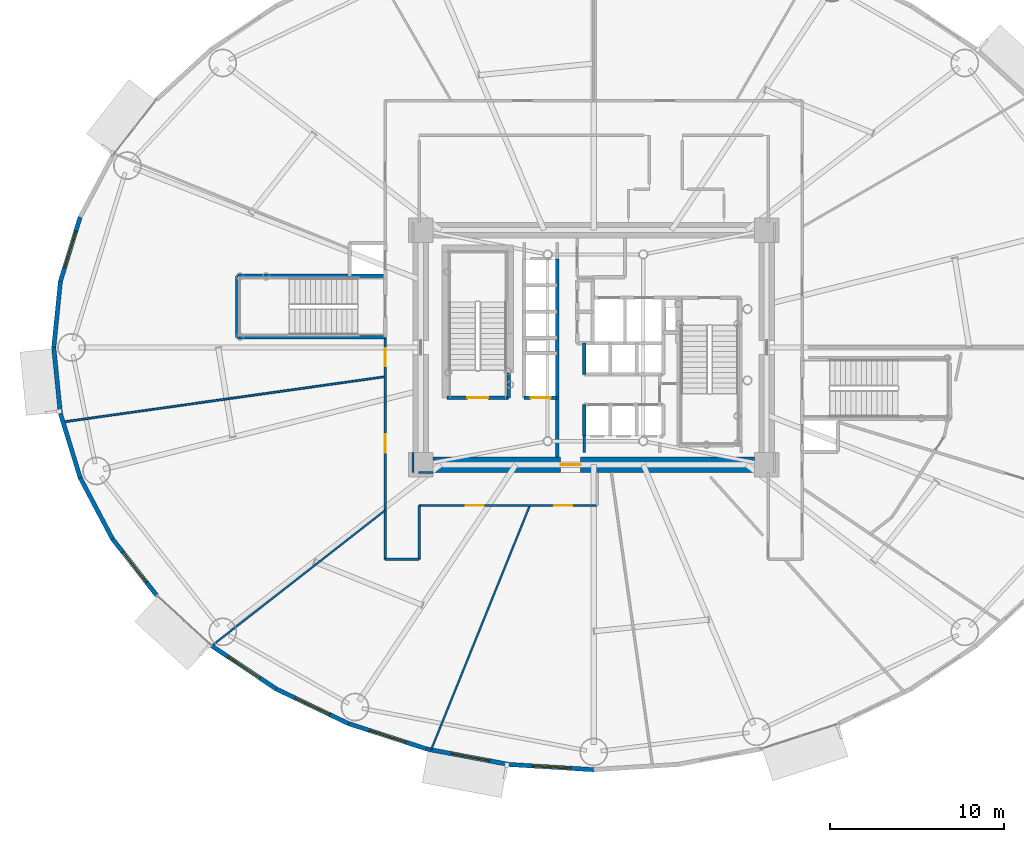
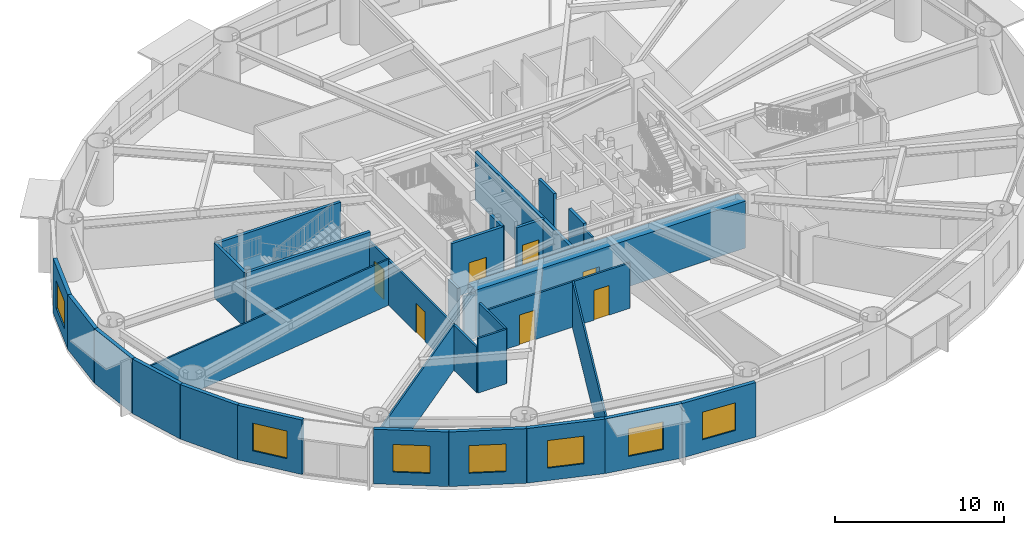
# One storey, part 19 of 35: 31 walls, 7 doors, 7 windows, 14 openings.
"""IFC4 building model written with IfcOpenShell, lengths in metres."""

from ifc_helpers import new_model, si_unit, direction, frame, frame_2d, origin, origin_2d, place, context, subcontext, project, spatial, rectangle, extrude, source, transform, mapped, material, layer, layer_set, type_object, element, fill, save


model = new_model("IFC4")

# Units and contexts
model_context = context("Model", 3, precision=1e-05, world=origin(), true_north=direction((0.0, 1.0)))
body_context = subcontext(model_context, "Body", "Model", "MODEL_VIEW")
ifc_project = project(units=[si_unit("LENGTHUNIT", "METRE"), si_unit("AREAUNIT", "SQUARE_METRE"), si_unit("VOLUMEUNIT", "CUBIC_METRE"), si_unit("PLANEANGLEUNIT", "RADIAN"), si_unit("MASSUNIT", "GRAM", prefix="KILO")], contexts=[model_context])

# Site, building, storey
site_placement = place(None, origin())
site = spatial("IfcSite", under=ifc_project, at=site_placement, CompositionType="ELEMENT")
building_placement = place(site_placement, origin())
building = spatial("IfcBuilding", under=site, at=building_placement, Name="Linh Dai School and Residence Tower", CompositionType="ELEMENT")
storey_placement = place(building_placement, frame((0.0, 0.0, 49.199951171875)))
storey = spatial("IfcBuildingStorey", under=building, at=storey_placement, Name="L11", CompositionType="ELEMENT", Elevation=49.199951171875)

# Wall, opening, window
ifc_material_1 = material(Name="Precast Concrete B45 (C35/45)", Category="concrete")
ifc_layer_1 = layer(ifc_material_1, 0.25)
ifc_layer_set_1 = layer_set([ifc_layer_1], Name="Precast Concrete B45 (C35/45)")
wall_type_1 = type_object("IfcWallType", Name="EW-TC-250", PredefinedType="SOLIDWALL", material=ifc_layer_set_1)
wall_1_placement = place(storey_placement, frame((5.306640625, 30.796875, 0.0), z_axis=(0.0, 0.0, 1.0), x_axis=(0.293111631758, 0.956078224482, 0.0)))
wall_1 = element("IfcWall", 1, at=wall_1_placement, inside=storey, type_object=wall_type_1, Name="L11 Terracotta Exterior Wall 19", PredefinedType="SOLIDWALL", context=body_context, shape_type="SweptSolid", body=[
    extrude(rectangle(XDim=3.874755859375, YDim=0.25, at=frame_2d((1.9375, 0.0))), origin(), (0.0, 0.0, 1.0), 3.949951171875),
])
opening_1_placement = place(wall_1_placement, frame((0.83740234375, 0.0, 0.89990234375)))
opening_1 = element("IfcOpeningElement", 2, at=opening_1_placement, cuts=wall_1, Name="Opening W4", PredefinedType="OPENING", context=body_context, shape_type="SweptSolid", body=[
    extrude(rectangle(XDim=2.199951171875, YDim=2.0, at=origin_2d()), frame((1.10009765625, 0.135009765625, 1.0), z_axis=(0.0, -1.0, 0.0), x_axis=(1.0, 0.0, 0.0)), (0.0, 0.0, 1.0), 0.27001953125),
])
ifc_material_2 = material(Name="Acoustic Laminated Low-E Glazing", Category="glass")
window_type = type_object("IfcWindowType", Name="WN-SCH-2200x2000", PartitioningType="TRIPLE_PANEL_VERTICAL", PredefinedType="WINDOW", material=ifc_material_2)
shared_shape_1 = source(origin(), body_context, "Body", "SweptSolid", [
    extrude(rectangle(XDim=2.199951171875, YDim=2.0, at=origin_2d()), frame((1.10009765625, 0.030029296875, 1.0), z_axis=(0.0, -1.0, 0.0), x_axis=(1.0, 0.0, 0.0)), (0.0, 0.0, 1.0), 0.06005859375),
])
window_1_placement = place(opening_1_placement, origin())
window_1 = element("IfcWindow", 3, at=window_1_placement, inside=storey, type_object=window_type, Name="L11 Exterior Window 19.1", OverallHeight=2.0, OverallWidth=2.199951171875, PartitioningType="TRIPLE_PANEL_VERTICAL", PredefinedType="WINDOW", context=body_context, shape_type="MappedRepresentation", body=[
    mapped(shared_shape_1, transform((0.0, 0.0, 0.0), x_axis=(1.0, 0.0, 0.0), y_axis=(0.0, 1.0, 0.0), z_axis=(0.0, 0.0, 1.0), scale=1.0)),
])
fill(opening_1, window_1)

# Walls
for number, where, z_axis, x_axis, name in (
    (4, (4.925048828125, 27.0, 0.0), (0.0, 0.0, 1.0), (0.099997795174, 0.994987658698, 0.0), "L11 Terracotta Exterior Wall 20"),
    (5, (5.306640625, 23.203125, 0.0), (0.0, 0.0, 1.0), (-0.099997795174, 0.994987658698, 0.0), "L11 Terracotta Exterior Wall 21"),
):
    element("IfcWall", number, at=place(storey_placement, frame(where, z_axis=z_axis, x_axis=x_axis)), inside=storey, type_object=wall_type_1, Name=name, PredefinedType="SOLIDWALL", context=body_context, shape_type="SweptSolid", body=[
        extrude(rectangle(XDim=3.81591796875, YDim=0.25, at=frame_2d((1.907958984375, 0.0))), origin(), (0.0, 0.0, 1.0), 3.949951171875),
    ])
wall_2_placement = place(storey_placement, frame((6.4423828125, 19.49853515625, 0.0), z_axis=(0.0, 0.0, 1.0), x_axis=(-0.293111631758, 0.956078224482, 0.0)))
element("IfcWall", 6, at=wall_2_placement, inside=storey, type_object=wall_type_1, Name="L11 Terracotta Exterior Wall 22", PredefinedType="SOLIDWALL", context=body_context, shape_type="SweptSolid", body=[
    extrude(rectangle(XDim=3.874755859375, YDim=0.25, at=frame_2d((1.9375, 0.0))), origin(), (0.0, 0.0, 1.0), 3.949951171875),
])
wall_3_placement = place(storey_placement, frame((8.305419921875, 15.977294921875, 0.0), z_axis=(0.0, 0.0, 1.0), x_axis=(-0.467662443071, 0.883907144072, 0.0)))
element("IfcWall", 7, at=wall_3_placement, inside=storey, type_object=wall_type_1, Name="L11 Terracotta Exterior Wall 23", PredefinedType="SOLIDWALL", context=body_context, shape_type="SweptSolid", body=[
    extrude(rectangle(XDim=3.983642578125, YDim=0.25, at=frame_2d((1.99169921875, 0.0))), origin(), (0.0, 0.0, 1.0), 3.949951171875),
])

# Wall, opening, window
wall_4_placement = place(storey_placement, frame((10.850341796875, 12.725341796875, 0.0), z_axis=(0.0, 0.0, 1.0), x_axis=(-0.616295508253, 0.787514981767, 0.0)))
wall_4 = element("IfcWall", 8, at=wall_4_placement, inside=storey, type_object=wall_type_1, Name="L11 Terracotta Exterior Wall 24", PredefinedType="SOLIDWALL", context=body_context, shape_type="SweptSolid", body=[
    extrude(rectangle(XDim=4.12939453125, YDim=0.25, at=frame_2d((2.064697265625, 0.0))), origin(), (0.0, 0.0, 1.0), 3.949951171875),
])
opening_2_placement = place(wall_4_placement, frame((0.964599609375, 0.0, 0.89990234375)))
opening_2 = element("IfcOpeningElement", 9, at=opening_2_placement, cuts=wall_4, Name="Opening W4", PredefinedType="OPENING", context=body_context, shape_type="SweptSolid", body=[
    extrude(rectangle(XDim=2.199951171875, YDim=2.0, at=origin_2d()), frame((1.10009765625, 0.135009765625, 1.0), z_axis=(0.0, -1.0, 0.0), x_axis=(1.0, 0.0, 0.0)), (0.0, 0.0, 1.0), 0.27001953125),
])
window_2_placement = place(opening_2_placement, origin())
window_2 = element("IfcWindow", 10, at=window_2_placement, inside=storey, type_object=window_type, Name="L11 Exterior Window 24.1", OverallHeight=2.0, OverallWidth=2.199951171875, PartitioningType="TRIPLE_PANEL_VERTICAL", PredefinedType="WINDOW", context=body_context, shape_type="MappedRepresentation", body=[
    mapped(shared_shape_1, transform((0.0, 0.0, 0.0), x_axis=(1.0, 0.0, 0.0), y_axis=(0.0, 1.0, 0.0), z_axis=(0.0, 0.0, 1.0), scale=1.0)),
])
fill(opening_2, window_2)

wall_5_placement = place(storey_placement, frame((17.722900390625, 7.34423828125, 0.0), z_axis=(0.0, 0.0, 1.0), x_axis=(-0.831240982525, 0.555912249343, 0.0)))
wall_5 = element("IfcWall", 11, at=wall_5_placement, inside=storey, type_object=wall_type_1, Name="L11 Terracotta Exterior Wall 26", PredefinedType="SOLIDWALL", context=body_context, shape_type="SweptSolid", body=[
    extrude(rectangle(XDim=4.460205078125, YDim=0.25, at=frame_2d((2.22998046875, 0.0))), origin(), (0.0, 0.0, 1.0), 3.949951171875),
])
opening_3_placement = place(wall_5_placement, frame((1.114013671875, 0.0, 0.89990234375)))
opening_3 = element("IfcOpeningElement", 12, at=opening_3_placement, cuts=wall_5, Name="Opening W4", PredefinedType="OPENING", context=body_context, shape_type="SweptSolid", body=[
    extrude(rectangle(XDim=2.199951171875, YDim=2.0, at=origin_2d()), frame((1.10009765625, 0.135009765625, 1.0), z_axis=(0.0, -1.0, 0.0), x_axis=(1.0, 0.0, 0.0)), (0.0, 0.0, 1.0), 0.27001953125),
])
window_3_placement = place(opening_3_placement, origin())
window_3 = element("IfcWindow", 13, at=window_3_placement, inside=storey, type_object=window_type, Name="L11 Exterior Window 26.1", OverallHeight=2.0, OverallWidth=2.199951171875, PartitioningType="TRIPLE_PANEL_VERTICAL", PredefinedType="WINDOW", context=body_context, shape_type="MappedRepresentation", body=[
    mapped(shared_shape_1, transform((0.0, 0.0, 0.0), x_axis=(1.0, 0.0, 0.0), y_axis=(0.0, 1.0, 0.0), z_axis=(0.0, 0.0, 1.0), scale=1.0)),
])
fill(opening_3, window_3)

wall_6_placement = place(storey_placement, frame((21.8818359375, 5.348876953125, 0.0), z_axis=(0.0, 0.0, 1.0), x_axis=(-0.901601503137, 0.432567601123, 0.0)))
wall_6 = element("IfcWall", 14, at=wall_6_placement, inside=storey, type_object=wall_type_1, Name="L11 Terracotta Exterior Wall 27", PredefinedType="SOLIDWALL", context=body_context, shape_type="SweptSolid", body=[
    extrude(rectangle(XDim=4.61279296875, YDim=0.25, at=frame_2d((2.306396484375, 0.0))), origin(), (0.0, 0.0, 1.0), 3.949951171875),
])
opening_4_placement = place(wall_6_placement, frame((1.206298828125, 0.0, 0.89990234375)))
opening_4 = element("IfcOpeningElement", 15, at=opening_4_placement, cuts=wall_6, Name="Opening W4", PredefinedType="OPENING", context=body_context, shape_type="SweptSolid", body=[
    extrude(rectangle(XDim=2.199951171875, YDim=2.0, at=origin_2d()), frame((1.10009765625, 0.135009765625, 1.0), z_axis=(0.0, -1.0, 0.0), x_axis=(1.0, 0.0, 0.0)), (0.0, 0.0, 1.0), 0.27001953125),
])
window_4_placement = place(opening_4_placement, origin())
window_4 = element("IfcWindow", 16, at=window_4_placement, inside=storey, type_object=window_type, Name="L11 Exterior Window 27.1", OverallHeight=2.0, OverallWidth=2.199951171875, PartitioningType="TRIPLE_PANEL_VERTICAL", PredefinedType="WINDOW", context=body_context, shape_type="MappedRepresentation", body=[
    mapped(shared_shape_1, transform((0.0, 0.0, 0.0), x_axis=(1.0, 0.0, 0.0), y_axis=(0.0, 1.0, 0.0), z_axis=(0.0, 0.0, 1.0), scale=1.0)),
])
fill(opening_4, window_4)

wall_7_placement = place(storey_placement, frame((26.389404296875, 3.88671875, 0.0), z_axis=(0.0, 0.0, 1.0), x_axis=(-0.951207699013, 0.308551313946, 0.0)))
wall_7 = element("IfcWall", 17, at=wall_7_placement, inside=storey, type_object=wall_type_1, Name="L11 Terracotta Exterior Wall 28", PredefinedType="SOLIDWALL", context=body_context, shape_type="SweptSolid", body=[
    extrude(rectangle(XDim=4.73876953125, YDim=0.25, at=frame_2d((2.369384765625, 0.0))), origin(), (0.0, 0.0, 1.0), 3.949951171875),
])
opening_5_placement = place(wall_7_placement, frame((1.269287109375, 0.0, 0.89990234375)))
opening_5 = element("IfcOpeningElement", 18, at=opening_5_placement, cuts=wall_7, Name="Opening W4", PredefinedType="OPENING", context=body_context, shape_type="SweptSolid", body=[
    extrude(rectangle(XDim=2.199951171875, YDim=2.0, at=origin_2d()), frame((1.10009765625, 0.135009765625, 1.0), z_axis=(0.0, -1.0, 0.0), x_axis=(1.0, 0.0, 0.0)), (0.0, 0.0, 1.0), 0.27001953125),
])
window_5_placement = place(opening_5_placement, origin())
window_5 = element("IfcWindow", 19, at=window_5_placement, inside=storey, type_object=window_type, Name="L11 Exterior Window 28.1", OverallHeight=2.0, OverallWidth=2.199951171875, PartitioningType="TRIPLE_PANEL_VERTICAL", PredefinedType="WINDOW", context=body_context, shape_type="MappedRepresentation", body=[
    mapped(shared_shape_1, transform((0.0, 0.0, 0.0), x_axis=(1.0, 0.0, 0.0), y_axis=(0.0, 1.0, 0.0), z_axis=(0.0, 0.0, 1.0), scale=1.0)),
])
fill(opening_5, window_5)

wall_8_placement = place(storey_placement, frame((31.134521484375, 2.994873046875, 0.0), z_axis=(0.0, 0.0, 1.0), x_axis=(-0.982791952378, 0.184715939598, 0.0)))
wall_8 = element("IfcWall", 20, at=wall_8_placement, inside=storey, type_object=wall_type_1, Name="L11 Terracotta Exterior Wall 29", PredefinedType="SOLIDWALL", context=body_context, shape_type="SweptSolid", body=[
    extrude(rectangle(XDim=4.828125, YDim=0.25, at=frame_2d((2.4140625, 0.0))), origin(), (0.0, 0.0, 1.0), 3.949951171875),
])
opening_6_placement = place(wall_8_placement, frame((1.1767578125, 0.0, 0.89990234375)))
opening_6 = element("IfcOpeningElement", 21, at=opening_6_placement, cuts=wall_8, Name="Opening W4", PredefinedType="OPENING", context=body_context, shape_type="SweptSolid", body=[
    extrude(rectangle(XDim=2.199951171875, YDim=2.0, at=origin_2d()), frame((1.10009765625, 0.135009765625, 1.0), z_axis=(0.0, -1.0, 0.0), x_axis=(1.0, 0.0, 0.0)), (0.0, 0.0, 1.0), 0.27001953125),
])
window_6_placement = place(opening_6_placement, origin())
window_6 = element("IfcWindow", 22, at=window_6_placement, inside=storey, type_object=window_type, Name="L11 Exterior Window 29.1", OverallHeight=2.0, OverallWidth=2.199951171875, PartitioningType="TRIPLE_PANEL_VERTICAL", PredefinedType="WINDOW", context=body_context, shape_type="MappedRepresentation", body=[
    mapped(shared_shape_1, transform((0.0, 0.0, 0.0), x_axis=(1.0, 0.0, 0.0), y_axis=(0.0, 1.0, 0.0), z_axis=(0.0, 0.0, 1.0), scale=1.0)),
])
fill(opening_6, window_6)

wall_9_placement = place(storey_placement, frame((36.0, 2.695068359375, 0.0), z_axis=(0.0, 0.0, 1.0), x_axis=(-0.998106954071, 0.061502099433, 0.0)))
wall_9 = element("IfcWall", 23, at=wall_9_placement, inside=storey, type_object=wall_type_1, Name="L11 Terracotta Exterior Wall 30", PredefinedType="SOLIDWALL", context=body_context, shape_type="SweptSolid", body=[
    extrude(rectangle(XDim=4.874755859375, YDim=0.25, at=frame_2d((2.4375, 0.0))), origin(), (0.0, 0.0, 1.0), 3.949951171875),
])
opening_7_placement = place(wall_9_placement, frame((1.33740234375, 0.0, 0.89990234375)))
opening_7 = element("IfcOpeningElement", 24, at=opening_7_placement, cuts=wall_9, Name="Opening W4", PredefinedType="OPENING", context=body_context, shape_type="SweptSolid", body=[
    extrude(rectangle(XDim=2.199951171875, YDim=2.0, at=origin_2d()), frame((1.10009765625, 0.135009765625, 1.0), z_axis=(0.0, -1.0, 0.0), x_axis=(1.0, 0.0, 0.0)), (0.0, 0.0, 1.0), 0.27001953125),
])
window_7_placement = place(opening_7_placement, origin())
window_7 = element("IfcWindow", 25, at=window_7_placement, inside=storey, type_object=window_type, Name="L11 Exterior Window 30.1", OverallHeight=2.0, OverallWidth=2.199951171875, PartitioningType="TRIPLE_PANEL_VERTICAL", PredefinedType="WINDOW", context=body_context, shape_type="MappedRepresentation", body=[
    mapped(shared_shape_1, transform((0.0, 0.0, 0.0), x_axis=(1.0, 0.0, 0.0), y_axis=(0.0, 1.0, 0.0), z_axis=(0.0, 0.0, 1.0), scale=1.0)),
])
fill(opening_7, window_7)

# Wall, openings, doors
ifc_material_3 = material(Name="Autoclaved Aerated Concrete Blockwork", Category="masonry")
ifc_layer_2 = layer(ifc_material_3, 0.135009765625)
ifc_layer_set_2 = layer_set([ifc_layer_2], Name="Autoclaved Aerated Concrete Blockwork")
wall_type_2 = type_object("IfcWallType", Name="IW-CORR-135-EI90", PredefinedType="PARTITIONING", material=ifc_layer_set_2)
wall_10_placement = place(storey_placement, frame((24.0, 14.800048828125, 0.0), z_axis=(0.0, 0.0, 1.0), x_axis=(0.0, 1.0, 0.0)))
wall_10 = element("IfcWall", 26, at=wall_10_placement, inside=storey, type_object=wall_type_2, Name="L11 Interior Partition Wall 010", PredefinedType="PARTITIONING", context=body_context, shape_type="SweptSolid", body=[
    extrude(rectangle(XDim=12.780029296875, YDim=0.135009765625, at=frame_2d((6.39013671875, 0.0))), origin(), (0.0, 0.0, 1.0), 3.28515625),
])
opening_8_placement = place(wall_10_placement, frame((11.101806640625, 0.0, 0.0)))
opening_8 = element("IfcOpeningElement", 27, at=opening_8_placement, cuts=wall_10, Name="Opening D04", PredefinedType="OPENING", context=body_context, shape_type="SweptSolid", body=[
    extrude(rectangle(XDim=1.050048828125, YDim=2.14990234375, at=origin_2d()), frame((0.52490234375, 0.07763671875, 1.074951171875), z_axis=(0.0, -1.0, 0.0), x_axis=(1.0, 0.0, 0.0)), (0.0, 0.0, 1.0), 0.155029296875),
])
opening_9_placement = place(wall_10_placement, frame((6.14404296875, 0.0, 0.0)))
opening_9 = element("IfcOpeningElement", 28, at=opening_9_placement, cuts=wall_10, Name="Opening D04", PredefinedType="OPENING", context=body_context, shape_type="SweptSolid", body=[
    extrude(rectangle(XDim=1.050048828125, YDim=2.14990234375, at=origin_2d()), frame((0.52490234375, 0.07763671875, 1.074951171875), z_axis=(0.0, -1.0, 0.0), x_axis=(1.0, 0.0, 0.0)), (0.0, 0.0, 1.0), 0.155029296875),
])
ifc_material_4 = material(Name="Acoustic Vision-Panel Timber Classroom Door", Category="wood")
door_type_1 = type_object("IfcDoorType", Name="DR-SCH-1050x2150-FD60S", OperationType="NOTDEFINED", PredefinedType="DOOR", material=ifc_material_4)
shared_shape_2 = source(origin(), body_context, "Body", "SweptSolid", [
    extrude(rectangle(XDim=1.050048828125, YDim=2.14990234375, at=origin_2d()), frame((0.52490234375, 0.02490234375, 1.074951171875), z_axis=(0.0, -1.0, 0.0), x_axis=(1.0, 0.0, 0.0)), (0.0, 0.0, 1.0), 0.050048828125),
])
door_1_placement = place(opening_8_placement, origin())
door_1 = element("IfcDoor", 29, at=door_1_placement, inside=storey, type_object=door_type_1, Name="L11 Secondary Classroom 5 Door", OperationType="SINGLE_SWING_LEFT", OverallHeight=2.14990234375, OverallWidth=1.050048828125, PredefinedType="DOOR", context=body_context, shape_type="MappedRepresentation", body=[
    mapped(shared_shape_2, transform((0.0, 0.0, 0.0), x_axis=(1.0, 0.0, 0.0), y_axis=(0.0, 1.0, 0.0), z_axis=(0.0, 0.0, 1.0), scale=1.0)),
])
fill(opening_8, door_1)
door_2_placement = place(opening_9_placement, origin())
door_2 = element("IfcDoor", 30, at=door_2_placement, inside=storey, type_object=door_type_1, Name="L11 Secondary Classroom 6 Door", OperationType="SINGLE_SWING_RIGHT", OverallHeight=2.14990234375, OverallWidth=1.050048828125, PredefinedType="DOOR", context=body_context, shape_type="MappedRepresentation", body=[
    mapped(shared_shape_2, transform((0.0, 0.0, 0.0), x_axis=(1.0, 0.0, 0.0), y_axis=(0.0, 1.0, 0.0), z_axis=(0.0, 0.0, 1.0), scale=1.0)),
])
fill(opening_9, door_2)

# Walls
wall_11_placement = place(storey_placement, frame((24.0, 14.800048828125, 0.0), z_axis=(0.0, 0.0, 1.0), x_axis=(1.0, 0.0, 0.0)))
element("IfcWall", 31, at=wall_11_placement, inside=storey, type_object=wall_type_2, Name="L11 Interior Partition Wall 011", PredefinedType="PARTITIONING", context=body_context, shape_type="SweptSolid", body=[
    extrude(rectangle(XDim=1.949951171875, YDim=0.135009765625, at=frame_2d((0.97509765625, 0.0))), origin(), (0.0, 0.0, 1.0), 3.949951171875),
])
wall_12_placement = place(storey_placement, frame((25.949951171875, 14.800048828125, 0.0), z_axis=(0.0, 0.0, 1.0), x_axis=(0.0, 1.0, 0.0)))
element("IfcWall", 32, at=wall_12_placement, inside=storey, type_object=wall_type_2, Name="L11 Interior Partition Wall 015", PredefinedType="PARTITIONING", context=body_context, shape_type="SweptSolid", body=[
    extrude(rectangle(XDim=3.099853515625, YDim=0.135009765625, at=frame_2d((1.5498046875, 0.0))), origin(), (0.0, 0.0, 1.0), 3.949951171875),
])

# Wall, openings, doors
wall_13_placement = place(storey_placement, frame((25.949951171875, 17.89990234375, 0.0), z_axis=(0.0, 0.0, 1.0), x_axis=(1.0, 0.0, 0.0)))
wall_13 = element("IfcWall", 33, at=wall_13_placement, inside=storey, type_object=wall_type_2, Name="L11 Interior Partition Wall 016", PredefinedType="PARTITIONING", context=body_context, shape_type="SweptSolid", body=[
    extrude(rectangle(XDim=10.25, YDim=0.135009765625, at=frame_2d((5.125, 0.0))), origin(), (0.0, 0.0, 1.0), 3.28515625),
])
opening_10_placement = place(wall_13_placement, frame((2.681640625, 0.0, 0.0)))
opening_10 = element("IfcOpeningElement", 34, at=opening_10_placement, cuts=wall_13, Name="Opening D04", PredefinedType="OPENING", context=body_context, shape_type="SweptSolid", body=[
    extrude(rectangle(XDim=1.050048828125, YDim=2.14990234375, at=origin_2d()), frame((0.52490234375, 0.07763671875, 1.074951171875), z_axis=(0.0, -1.0, 0.0), x_axis=(1.0, 0.0, 0.0)), (0.0, 0.0, 1.0), 0.155029296875),
])
opening_11_placement = place(wall_13_placement, frame((7.7666015625, 0.0, 0.0)))
opening_11 = element("IfcOpeningElement", 35, at=opening_11_placement, cuts=wall_13, Name="Opening D04", PredefinedType="OPENING", context=body_context, shape_type="SweptSolid", body=[
    extrude(rectangle(XDim=1.050048828125, YDim=2.14990234375, at=origin_2d()), frame((0.52490234375, 0.07763671875, 1.074951171875), z_axis=(0.0, -1.0, 0.0), x_axis=(1.0, 0.0, 0.0)), (0.0, 0.0, 1.0), 0.155029296875),
])
door_3_placement = place(opening_10_placement, origin())
door_3 = element("IfcDoor", 36, at=door_3_placement, inside=storey, type_object=door_type_1, Name="L11 Secondary Classroom 7 Door", OperationType="SINGLE_SWING_LEFT", OverallHeight=2.14990234375, OverallWidth=1.050048828125, PredefinedType="DOOR", context=body_context, shape_type="MappedRepresentation", body=[
    mapped(shared_shape_2, transform((0.0, 0.0, 0.0), x_axis=(1.0, 0.0, 0.0), y_axis=(0.0, 1.0, 0.0), z_axis=(0.0, 0.0, 1.0), scale=1.0)),
])
fill(opening_10, door_3)
door_4_placement = place(opening_11_placement, origin())
door_4 = element("IfcDoor", 37, at=door_4_placement, inside=storey, type_object=door_type_1, Name="L11 Secondary Classroom 8 Door", OperationType="SINGLE_SWING_RIGHT", OverallHeight=2.14990234375, OverallWidth=1.050048828125, PredefinedType="DOOR", context=body_context, shape_type="MappedRepresentation", body=[
    mapped(shared_shape_2, transform((0.0, 0.0, 0.0), x_axis=(1.0, 0.0, 0.0), y_axis=(0.0, 1.0, 0.0), z_axis=(0.0, 0.0, 1.0), scale=1.0)),
])
fill(opening_11, door_4)

# Walls
wall_14_placement = place(storey_placement, frame((35.449951171875, 21.889892578125, 0.0), z_axis=(0.0, 0.0, 1.0), x_axis=(0.0, -1.0, 0.0)))
element("IfcWall", 38, at=wall_14_placement, inside=storey, type_object=wall_type_2, Name="L11 Interior Partition Wall 084", PredefinedType="PARTITIONING", context=body_context, shape_type="SweptSolid", body=[
    extrude(rectangle(XDim=0.929931640625, YDim=0.135009765625, at=frame_2d((0.46484375, 0.0))), origin(), (0.0, 0.0, 1.0), 3.53515625),
])
wall_15_placement = place(storey_placement, frame((25.60009765625, 20.93994140625, 0.0), z_axis=(0.0, 0.0, 1.0), x_axis=(0.0, -1.0, 0.0)))
element("IfcWall", 39, at=wall_15_placement, inside=storey, type_object=wall_type_2, Name="L11 Interior Partition Wall 103", PredefinedType="PARTITIONING", context=body_context, shape_type="SweptSolid", body=[
    extrude(rectangle(XDim=1.139892578125, YDim=0.135009765625, at=frame_2d((0.56982421875, 0.0))), origin(), (0.0, 0.0, 1.0), 3.949951171875),
])
wall_16_placement = place(storey_placement, frame((25.907470703125, 19.800048828125, 0.0), z_axis=(0.0, 0.0, 1.0), x_axis=(1.0, 0.0, 0.0)))
element("IfcWall", 40, at=wall_16_placement, inside=storey, type_object=wall_type_2, Name="L11 Interior Partition Wall 104", PredefinedType="PARTITIONING", context=body_context, shape_type="SweptSolid", body=[
    extrude(rectangle(XDim=0.83251953125, YDim=0.135009765625, at=frame_2d((0.416259765625, 0.0))), origin(), (0.0, 0.0, 1.0), 3.28515625),
])
ifc_material_5 = material(Name="Acoustic Operable Timber Panel Partition", Category="wood")
ifc_layer_3 = layer(ifc_material_5, 0.110107421875)
ifc_layer_set_3 = layer_set([ifc_layer_3], Name="Acoustic Operable Timber Panel Partition")
wall_type_3 = type_object("IfcWallType", Name="IW-MOV-110", PredefinedType="MOVABLE", material=ifc_layer_set_3)
wall_17_placement = place(storey_placement, frame((5.45361328125, 22.70703125, 0.0), z_axis=(0.0, 0.0, 1.0), x_axis=(0.990268652703, 0.139168945795, 0.0)))
element("IfcWall", 41, at=wall_17_placement, inside=storey, type_object=wall_type_3, Name="L11 Interior Partition Wall 001", PredefinedType="MOVABLE", context=body_context, shape_type="SweptSolid", body=[
    extrude(rectangle(XDim=18.728759765625, YDim=0.110107421875, at=frame_2d((9.3642578125, 0.0))), origin(), (0.0, 0.0, 1.0), 3.3349609375),
])
wall_18_placement = place(storey_placement, frame((14.011474609375, 9.820556640625, 0.0), z_axis=(0.0, 0.0, 1.0), x_axis=(0.788008313235, 0.615664598846, 0.0)))
element("IfcWall", 42, at=wall_18_placement, inside=storey, type_object=wall_type_3, Name="L11 Interior Partition Wall 003", PredefinedType="MOVABLE", context=body_context, shape_type="SweptSolid", body=[
    extrude(rectangle(XDim=12.67578125, YDim=0.110107421875, at=frame_2d((6.337890625, 0.0))), origin(), (0.0, 0.0, 1.0), 3.28515625),
])
wall_19_placement = place(storey_placement, frame((26.640625, 3.83447265625, 0.0), z_axis=(0.0, 0.0, 1.0), x_axis=(0.374596093515, 0.927188096733, 0.0)))
element("IfcWall", 43, at=wall_19_placement, inside=storey, type_object=wall_type_3, Name="L11 Interior Partition Wall 017", PredefinedType="MOVABLE", context=body_context, shape_type="SweptSolid", body=[
    extrude(rectangle(XDim=15.169921875, YDim=0.110107421875, at=frame_2d((7.5849609375, 0.0))), origin(), (0.0, 0.0, 1.0), 3.3349609375),
])
ifc_material_6 = material(Name="Concrete B45 (C35/45)", Category="concrete")
ifc_layer_4 = layer(ifc_material_6, 0.199951171875)
ifc_layer_set_4 = layer_set([ifc_layer_4], Name="Concrete B45 (C35/45)")
wall_type_4 = type_object("IfcWallType", Name="IW-SHAFT-200-EI120", PredefinedType="PARTITIONING", material=ifc_layer_set_4)
wall_20_placement = place(storey_placement, frame((15.47998046875, 27.580078125, 0.0), z_axis=(0.0, 0.0, 1.0), x_axis=(0.0, 1.0, 0.0)))
element("IfcWall", 44, at=wall_20_placement, inside=storey, type_object=wall_type_4, Name="L11 Interior Partition Wall 004", PredefinedType="PARTITIONING", context=body_context, shape_type="SweptSolid", body=[
    extrude(rectangle(XDim=3.5400390625, YDim=0.199951171875, at=frame_2d((1.77001953125, 0.0))), origin(), (0.0, 0.0, 1.0), 3.949951171875),
])
for number, where, z_axis, x_axis, name in (
    (45, (15.47998046875, 27.580078125, 0.0), (0.0, 0.0, 1.0), (1.0, 0.0, 0.0), "L11 Interior Partition Wall 005"),
    (46, (15.47998046875, 31.1201171875, 0.0), (0.0, 0.0, 1.0), (1.0, 0.0, 0.0), "L11 Interior Partition Wall 006"),
):
    element("IfcWall", number, at=place(storey_placement, frame(where, z_axis=z_axis, x_axis=x_axis)), inside=storey, type_object=wall_type_4, Name=name, PredefinedType="PARTITIONING", context=body_context, shape_type="SweptSolid", body=[
        extrude(rectangle(XDim=8.52001953125, YDim=0.199951171875, at=frame_2d((4.260009765625, 0.0))), origin(), (0.0, 0.0, 1.0), 3.949951171875),
    ])

# Wall, opening, door
wall_21_placement = place(storey_placement, frame((27.56005859375, 24.10009765625, 0.0), z_axis=(0.0, 0.0, 1.0), x_axis=(1.0, 0.0, 0.0)))
wall_21 = element("IfcWall", 47, at=wall_21_placement, inside=storey, type_object=wall_type_4, Name="L11 Interior Partition Wall 018", PredefinedType="PARTITIONING", context=body_context, shape_type="SweptSolid", body=[
    extrude(rectangle(XDim=3.5400390625, YDim=0.199951171875, at=frame_2d((1.77001953125, 0.0))), origin(), (0.0, 0.0, 1.0), 3.949951171875),
])
opening_12_placement = place(wall_21_placement, frame((1.169921875, 0.0, 0.0)))
opening_12 = element("IfcOpeningElement", 48, at=opening_12_placement, cuts=wall_21, Name="Opening D01", PredefinedType="OPENING", context=body_context, shape_type="SweptSolid", body=[
    extrude(rectangle(XDim=1.199951171875, YDim=2.14990234375, at=origin_2d()), frame((0.60009765625, 0.10986328125, 1.074951171875), z_axis=(0.0, -1.0, 0.0), x_axis=(1.0, 0.0, 0.0)), (0.0, 0.0, 1.0), 0.219970703125),
])
ifc_material_7 = material(Name="Fire-Rated Steel Door Leaf", Category="steel")
door_type_2 = type_object("IfcDoorType", Name="DR-STAIR-1200x2150-FD90S", OperationType="NOTDEFINED", PredefinedType="DOOR", material=ifc_material_7)
shared_shape_3 = source(origin(), body_context, "Body", "SweptSolid", [
    extrude(rectangle(XDim=1.199951171875, YDim=2.14990234375, at=origin_2d()), frame((0.60009765625, 0.02490234375, 1.074951171875), z_axis=(0.0, -1.0, 0.0), x_axis=(1.0, 0.0, 0.0)), (0.0, 0.0, 1.0), 0.050048828125),
])
door_5_placement = place(opening_12_placement, origin())
door_5 = element("IfcDoor", 49, at=door_5_placement, inside=storey, type_object=door_type_2, Name="L11 Core Smokeproof Exit Stair ST1 Door", OperationType="SINGLE_SWING_LEFT", OverallHeight=2.14990234375, OverallWidth=1.199951171875, PredefinedType="DOOR", context=body_context, shape_type="MappedRepresentation", body=[
    mapped(shared_shape_3, transform((0.0, 0.0, 0.0), x_axis=(1.0, 0.0, 0.0), y_axis=(0.0, 1.0, 0.0), z_axis=(0.0, 0.0, 1.0), scale=1.0)),
])
fill(opening_12, door_5)

# Wall
wall_22_placement = place(storey_placement, frame((31.10009765625, 24.10009765625, 0.0), z_axis=(0.0, 0.0, 1.0), x_axis=(0.0, 1.0, 0.0)))
element("IfcWall", 50, at=wall_22_placement, inside=storey, type_object=wall_type_4, Name="L11 Interior Partition Wall 019", PredefinedType="PARTITIONING", context=body_context, shape_type="SweptSolid", body=[
    extrude(rectangle(XDim=1.43994140625, YDim=0.199951171875, at=frame_2d((0.719970703125, 0.0))), origin(), (0.0, 0.0, 1.0), 3.949951171875),
])

# Wall, opening, door
wall_23_placement = place(storey_placement, frame((32.0, 24.10009765625, 0.0), z_axis=(0.0, 0.0, 1.0), x_axis=(1.0, 0.0, 0.0)))
wall_23 = element("IfcWall", 51, at=wall_23_placement, inside=storey, type_object=wall_type_4, Name="L11 Interior Partition Wall 021", PredefinedType="PARTITIONING", context=body_context, shape_type="SweptSolid", body=[
    extrude(rectangle(XDim=1.89990234375, YDim=0.199951171875, at=frame_2d((0.949951171875, 0.0))), origin(), (0.0, 0.0, 1.0), 3.53515625),
])
opening_13_placement = place(wall_23_placement, frame((0.375, 0.0, 0.0)))
opening_13 = element("IfcOpeningElement", 52, at=opening_13_placement, cuts=wall_23, Name="Opening LD-FF2", PredefinedType="OPENING", context=body_context, shape_type="SweptSolid", body=[
    extrude(rectangle(XDim=1.14990234375, YDim=2.14990234375, at=origin_2d()), frame((0.574951171875, 0.10986328125, 1.074951171875), z_axis=(0.0, -1.0, 0.0), x_axis=(1.0, 0.0, 0.0)), (0.0, 0.0, 1.0), 0.219970703125),
])
ifc_material_8 = material(Name="Fire-Rated Stainless Steel Firefighting Lift Door", Category="steel")
door_type_3 = type_object("IfcDoorType", Name="DR-LD-FF-1150x2150-FD120", OperationType="DOUBLE_DOOR_SLIDING", PredefinedType="USERDEFINED", material=ifc_material_8)
shared_shape_4 = source(origin(), body_context, "Body", "SweptSolid", [
    extrude(rectangle(XDim=1.14990234375, YDim=2.14990234375, at=origin_2d()), frame((0.574951171875, 0.02490234375, 1.074951171875), z_axis=(0.0, -1.0, 0.0), x_axis=(1.0, 0.0, 0.0)), (0.0, 0.0, 1.0), 0.050048828125),
])
door_6_placement = place(opening_13_placement, origin())
door_6 = element("IfcDoor", 53, at=door_6_placement, inside=storey, type_object=door_type_3, Name="L11 Lift FF2 Sliding Landing Door", ObjectType="LANDING DOOR", OperationType="DOUBLE_DOOR_SLIDING", OverallHeight=2.14990234375, OverallWidth=1.14990234375, PredefinedType="USERDEFINED", context=body_context, shape_type="MappedRepresentation", body=[
    mapped(shared_shape_4, transform((0.0, 0.0, 0.0), x_axis=(1.0, 0.0, 0.0), y_axis=(0.0, 1.0, 0.0), z_axis=(0.0, 0.0, 1.0), scale=1.0)),
])
fill(opening_13, door_6)

# Walls
wall_24_placement = place(storey_placement, frame((33.89990234375, 20.699951171875, 0.0), z_axis=(0.0, 0.0, 1.0), x_axis=(0.0, 1.0, 0.0)))
element("IfcWall", 54, at=wall_24_placement, inside=storey, type_object=wall_type_4, Name="L11 Interior Partition Wall 026", PredefinedType="PARTITIONING", context=body_context, shape_type="SweptSolid", body=[
    extrude(rectangle(XDim=11.400146484375, YDim=0.199951171875, at=frame_2d((5.7001953125, 0.0))), origin(), (0.0, 0.0, 1.0), 3.53515625),
])
for number, where, z_axis, x_axis, name in (
    (55, (35.449951171875, 21.89990234375, 0.0), (0.0, 0.0, 1.0), (0.0, 1.0, 0.0), "L11 Interior Partition Wall 033"),
    (56, (35.449951171875, 25.449951171875, 0.0), (0.0, 0.0, 1.0), (0.0, 1.0, 0.0), "L11 Interior Partition Wall 035"),
):
    element("IfcWall", number, at=place(storey_placement, frame(where, z_axis=z_axis, x_axis=x_axis)), inside=storey, type_object=wall_type_4, Name=name, PredefinedType="PARTITIONING", context=body_context, shape_type="SweptSolid", body=[
        extrude(rectangle(XDim=1.800048828125, YDim=0.199951171875, at=frame_2d((0.89990234375, 0.0))), origin(), (0.0, 0.0, 1.0), 3.949951171875),
    ])

# Wall, opening, door
ifc_material_9 = material(Name="Concrete B60 (C50/60)", Category="concrete")
ifc_layer_5 = layer(ifc_material_9, 0.89990234375)
ifc_layer_set_5 = layer_set([ifc_layer_5], Name="Concrete B60 (C50/60)")
wall_type_5 = type_object("IfcWallType", Name="WL-CORE900", PredefinedType="SHEAR", material=ifc_layer_set_5)
wall_25_placement = place(storey_placement, frame((45.25, 20.25, 0.0), z_axis=(0.0, 0.0, 1.0), x_axis=(-1.0, 0.0, 0.0)))
wall_25 = element("IfcWall", 57, at=wall_25_placement, inside=storey, type_object=wall_type_5, Name="L11 Central Core Shear Wall S", PredefinedType="SHEAR", context=body_context, shape_type="SweptSolid", body=[
    extrude(rectangle(XDim=18.5, YDim=0.89990234375, at=frame_2d((9.25, 0.0))), origin(), (0.0, 0.0, 1.0), 3.400146484375),
])
opening_14_placement = place(wall_25_placement, frame((10.0, 0.0, 0.0)))
opening_14 = element("IfcOpeningElement", 58, at=opening_14_placement, cuts=wall_25, Name="Opening D02", PredefinedType="OPENING", context=body_context, shape_type="SweptSolid", body=[
    extrude(rectangle(XDim=1.14990234375, YDim=2.14990234375, at=origin_2d()), frame((0.574951171875, 0.4599609375, 1.074951171875), z_axis=(0.0, -1.0, 0.0), x_axis=(1.0, 0.0, 0.0)), (0.0, 0.0, 1.0), 0.919921875),
])
ifc_material_10 = material(Name="Fire-Rated Glazed Steel Lobby Door", Category="steel")
door_type_4 = type_object("IfcDoorType", Name="DR-LOBBY-1150x2150-FD90S", OperationType="NOTDEFINED", PredefinedType="DOOR", material=ifc_material_10)
shared_shape_5 = source(origin(), body_context, "Body", "SweptSolid", [
    extrude(rectangle(XDim=1.14990234375, YDim=2.14990234375, at=origin_2d()), frame((0.574951171875, 0.02490234375, 1.074951171875), z_axis=(0.0, -1.0, 0.0), x_axis=(1.0, 0.0, 0.0)), (0.0, 0.0, 1.0), 0.050048828125),
])
door_7_placement = place(opening_14_placement, origin())
door_7 = element("IfcDoor", 59, at=door_7_placement, inside=storey, type_object=door_type_4, Name="L11 Passenger Foyer Access Door", OperationType="SINGLE_SWING_RIGHT", OverallHeight=2.14990234375, OverallWidth=1.14990234375, PredefinedType="DOOR", context=body_context, shape_type="MappedRepresentation", body=[
    mapped(shared_shape_5, transform((0.0, 0.0, 0.0), x_axis=(1.0, 0.0, 0.0), y_axis=(0.0, 1.0, 0.0), z_axis=(0.0, 0.0, 1.0), scale=1.0)),
])
fill(opening_14, door_7)

save(model, "model.ifc")
